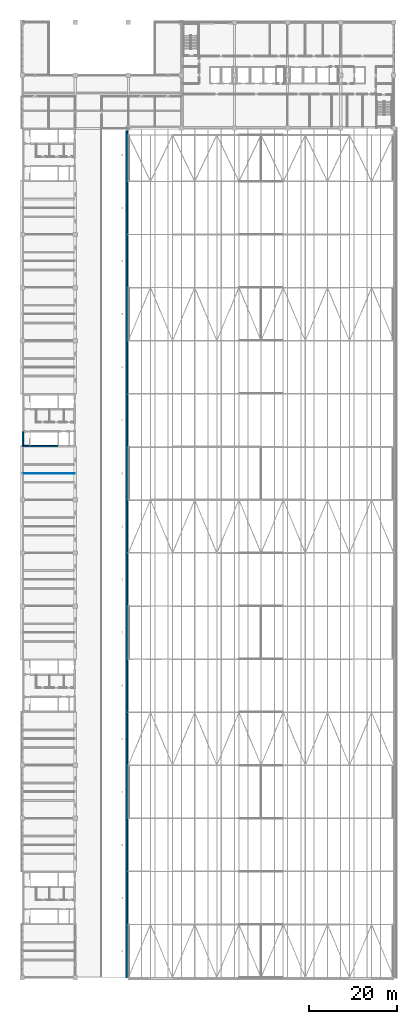
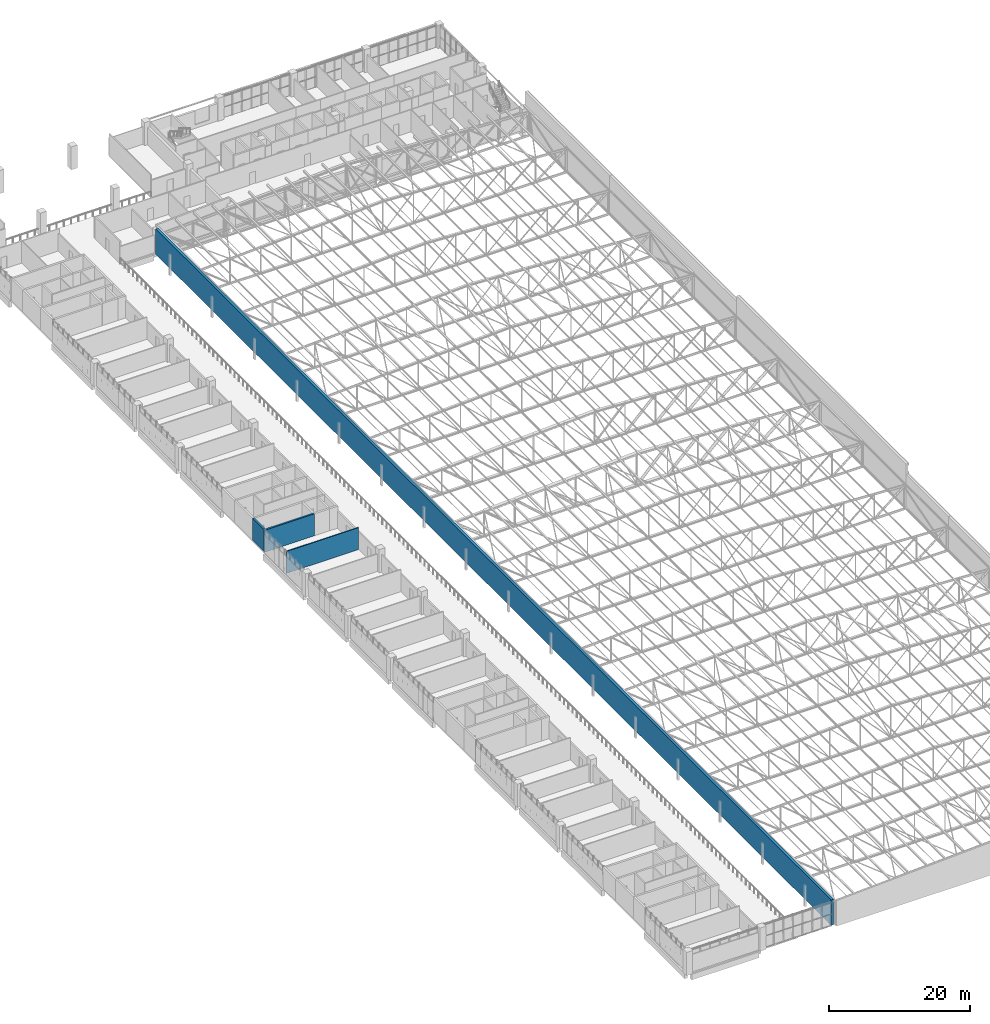
# One storey, part 145 of 156: 4 walls.
"""IFC4 building model written with IfcOpenShell, lengths in metres."""

import ifcopenshell
import ifcopenshell.guid

model = None  # the IFC model being written
_history = None  # IfcOwnerHistory: only IFC2X3 demands one
_inside = {}  # id of a spatial element -> (the spatial element, [elements in it])
_under = {}  # id of a project, library or spatial element -> (it, [spatial elements below it])
_declared = {}  # id of a project -> (the project, [libraries it declares])
_typed = {}  # id of a type object -> (the type object, [elements of that type])
_made_of = {}  # id of a material, layer set ... -> (it, [elements and type objects made of it])


def new_model(schema):
    """Start an empty IFC model of exactly this schema.

    Asked for "IFC4X3", IfcOpenShell would pick the latest addendum, in which some entities
    have other attributes; the version numbers below select the first issue.
    IFC2X3 requires an IfcOwnerHistory on every rooted entity: one is made here for all.
    """
    global model, _history
    if schema == "IFC4X3":
        model = ifcopenshell.file(schema_version=(4, 3, 0, 0))
    else:
        model = ifcopenshell.file(schema=schema)
    _inside.clear()
    _under.clear()
    _declared.clear()
    _typed.clear()
    _made_of.clear()
    _history = None
    if model.schema == "IFC2X3":
        org = make("IfcOrganization", Name="unknown")
        user = make(
            "IfcPersonAndOrganization",
            ThePerson=make("IfcPerson", FamilyName="unknown"),
            TheOrganization=org,
        )
        app = make(
            "IfcApplication",
            ApplicationDeveloper=org,
            Version="unknown",
            ApplicationFullName="unknown",
            ApplicationIdentifier="unknown",
        )
        _history = make(
            "IfcOwnerHistory",
            OwningUser=user,
            OwningApplication=app,
            ChangeAction="ADDED",
            CreationDate=0,
        )
    return model


def make(cls, **values):
    """One entity of the class cls with the attributes given. An attribute that is None is left unset."""
    return model.create_entity(
        cls, **{name: value for name, value in values.items() if value is not None}
    )


def rooted(cls, **values):
    """An entity with a GlobalId (a new one), such as an element, a storey or a relation."""
    return make(cls, GlobalId=ifcopenshell.guid.new(), OwnerHistory=_history, **values)


def si_unit(unit_type, name, prefix=None):
    """IfcSIUnit, for example si_unit("LENGTHUNIT", "METRE", prefix="MILLI")."""
    return make("IfcSIUnit", UnitType=unit_type, Prefix=prefix, Name=name)


def assignment(units):
    """IfcUnitAssignment: the units of a project."""
    return None if units is None else make("IfcUnitAssignment", Units=units)


def point(xyz):
    """IfcCartesianPoint."""
    return None if xyz is None else make("IfcCartesianPoint", Coordinates=xyz)


def direction(xyz):
    """IfcDirection."""
    return None if xyz is None else make("IfcDirection", DirectionRatios=xyz)


def frame(location, z_axis=None, x_axis=None):
    """IfcAxis2Placement3D, a coordinate frame: its origin and axes. An axis left out is left unset."""
    return make(
        "IfcAxis2Placement3D",
        Location=point(location),
        Axis=direction(z_axis),
        RefDirection=direction(x_axis),
    )


def frame_2d(location, x_axis=None):
    """IfcAxis2Placement2D, a coordinate frame in the plane: its origin and x axis."""
    return make(
        "IfcAxis2Placement2D", Location=point(location), RefDirection=direction(x_axis)
    )


def origin():
    """The frame at (0, 0, 0) with its axes left unset."""
    return frame((0.0, 0.0, 0.0))


def place(relative_to, where):
    """IfcLocalPlacement: puts the frame where relative to a parent placement (None: the world)."""
    return make(
        "IfcLocalPlacement", PlacementRelTo=relative_to, RelativePlacement=where
    )


def context(
    kind, dimensions, precision=None, world=None, true_north=None, identifier=None
):
    """IfcGeometricRepresentationContext, for example the 3D "Model" context."""
    return make(
        "IfcGeometricRepresentationContext",
        ContextIdentifier=identifier,
        ContextType=kind,
        CoordinateSpaceDimension=dimensions,
        Precision=precision,
        WorldCoordinateSystem=world,
        TrueNorth=true_north,
    )


def subcontext(parent, identifier, kind, view, scale=None):
    """IfcGeometricRepresentationSubContext, for example "Body" below "Model"."""
    return make(
        "IfcGeometricRepresentationSubContext",
        ContextIdentifier=identifier,
        ContextType=kind,
        ParentContext=parent,
        TargetScale=scale,
        TargetView=view,
    )


def project(units=None, contexts=None):
    """IfcProject with its units and contexts."""
    return rooted(
        "IfcProject",
        Name="project",
        RepresentationContexts=contexts,
        UnitsInContext=assignment(units),
    )


def spatial(cls, under=None, at=None, **own):
    """A site, building, storey or space (cls), placed at a placement, below another one or the project."""
    s = rooted(cls, ObjectPlacement=at, **own)
    if under is not None:
        _under.setdefault(under.id(), (under, []))[1].append(s)
    return s


def profile(cls, at=None, kind="AREA", **sizes):
    """A parametric profile (cls). Its sizes go by their IFC names, for example OverallWidth=200.0."""
    return make(cls, ProfileType=kind, Position=at, **sizes)


def rectangle(**sizes):
    """IfcRectangleProfileDef."""
    return profile("IfcRectangleProfileDef", **sizes)


def extrude(swept, where, along, depth):
    """IfcExtrudedAreaSolid: the profile swept, set in the frame where, extruded along a direction by depth."""
    return make(
        "IfcExtrudedAreaSolid",
        SweptArea=swept,
        Position=where,
        ExtrudedDirection=direction(along),
        Depth=depth,
    )


def shape(context_of_items, identifier, shape_type, items):
    """IfcShapeRepresentation: the items that make up one representation, for example the "Body"."""
    return make(
        "IfcShapeRepresentation",
        ContextOfItems=context_of_items,
        RepresentationIdentifier=identifier,
        RepresentationType=shape_type,
        Items=items,
    )


def material(Name=None, Category=None):
    """IfcMaterial."""
    return make("IfcMaterial", Name=Name, Category=Category)


def layer(
    of_material, thickness, ventilated=None, Name=None, Category=None, Priority=None
):
    """IfcMaterialLayer: one layer of a wall or slab, of a material (None: an air gap)."""
    return make(
        "IfcMaterialLayer",
        Material=of_material,
        LayerThickness=thickness,
        IsVentilated=ventilated,
        Name=Name,
        Category=Category,
        Priority=Priority,
    )


def layer_set(layers, Name=None):
    """IfcMaterialLayerSet."""
    return make("IfcMaterialLayerSet", MaterialLayers=layers, LayerSetName=Name)


def made_of(thing, what):
    """Note that an element or type object is made of a material, layer set ...; save() writes the relation."""
    if what is not None:
        _made_of.setdefault(what.id(), (what, []))[1].append(thing)
    return thing


def type_object(cls, material=None, **own):
    """A type object (cls), such as IfcWallType, which elements share."""
    return made_of(rooted(cls, **own), material)


def element(
    cls,
    number,
    at=None,
    inside=None,
    cuts=None,
    type_object=None,
    material=None,
    context=None,
    identifier="Body",
    shape_type=None,
    held_by="IfcProductDefinitionShape",
    body=None,
    shapes=None,
    **own,
):
    """One element of the class cls, such as IfcWall. Its Tag is "e" and its number.

    at: its placement. inside: the storey or other place that contains it. cuts: it is an
    opening in that element (IfcRelVoidsElement). A single representation is given by context,
    identifier, shape_type and body (its items); several are given by shapes. held_by: the class
    of the entity that holds the representations. save() writes the other relations.
    """
    e = rooted(cls, Tag="e%d" % number, ObjectPlacement=at, **own)
    if body is not None:
        shapes = [shape(context, identifier, shape_type, body)]
    if shapes is not None:
        e.Representation = make(held_by, Representations=shapes)
    if inside is not None:
        _inside.setdefault(inside.id(), (inside, []))[1].append(e)
    if cuts is not None:
        rooted(
            "IfcRelVoidsElement", RelatingBuildingElement=cuts, RelatedOpeningElement=e
        )
    if type_object is not None:
        _typed.setdefault(type_object.id(), (type_object, []))[1].append(e)
    return made_of(e, material)


def aggregate(whole, parts):
    """IfcRelAggregates: a whole, such as a stair, and the parts it consists of."""
    return rooted("IfcRelAggregates", RelatingObject=whole, RelatedObjects=parts)


def save(model, path):
    """Write the relations noted so far, then the file.

    IfcRelAggregates (storeys below a building ...), IfcRelContainedInSpatialStructure (elements
    in a storey), IfcRelDefinesByType, IfcRelAssociatesMaterial and IfcRelDeclares: one each for
    every whole, place, type object, material and project.
    """
    for whole, parts in _under.values():
        aggregate(whole, parts)
    for where, things in _inside.values():
        rooted(
            "IfcRelContainedInSpatialStructure",
            RelatedElements=things,
            RelatingStructure=where,
        )
    for kind, things in _typed.values():
        rooted("IfcRelDefinesByType", RelatedObjects=things, RelatingType=kind)
    for what, things in _made_of.values():
        rooted("IfcRelAssociatesMaterial", RelatedObjects=things, RelatingMaterial=what)
    for by, libraries in _declared.values():
        rooted("IfcRelDeclares", RelatingContext=by, RelatedDefinitions=libraries)
    model.write(path)


model = new_model("IFC4")

# Units and contexts
model_context = context("Model", 3, precision=1e-05, world=origin(), true_north=direction((0.0, 1.0)))
body_context = subcontext(model_context, "Body", "Model", "MODEL_VIEW")
ifc_project = project(units=[si_unit("LENGTHUNIT", "METRE"), si_unit("AREAUNIT", "SQUARE_METRE"), si_unit("VOLUMEUNIT", "CUBIC_METRE"), si_unit("PLANEANGLEUNIT", "RADIAN"), si_unit("MASSUNIT", "GRAM", prefix="KILO")], contexts=[model_context])

# Site, building, storey
site_placement = place(None, origin())
site = spatial("IfcSite", under=ifc_project, at=site_placement, CompositionType="ELEMENT")
building_placement = place(site_placement, origin())
building = spatial("IfcBuilding", under=site, at=building_placement, Name="Lilac Gate Convention Centre", CompositionType="ELEMENT")
storey_placement = place(building_placement, frame((0.0, 0.0, 17.0)))
storey = spatial("IfcBuildingStorey", under=building, at=storey_placement, Name="L03", CompositionType="ELEMENT", Elevation=17.0)

# Walls
ifc_material_1 = material(Name="Concrete C30", Category="concrete")
ifc_layer_1 = layer(ifc_material_1, 0.39990234375)
ifc_layer_set_1 = layer_set([ifc_layer_1], Name="Concrete C30")
wall_type_1 = type_object("IfcWallType", Name="Hall fire wall 400", PredefinedType="SOLIDWALL", material=ifc_layer_set_1)
wall_1_placement = place(storey_placement, frame((29.64990234375, 30.0, 0.0), z_axis=(0.0, 0.0, 1.0), x_axis=(0.0, 1.0, 0.0)))
element("IfcWall", 1, at=wall_1_placement, inside=storey, type_object=wall_type_1, Name="Fire wall galleria FW L03 1", PredefinedType="SOLIDWALL", context=body_context, shape_type="SweptSolid", body=[
    extrude(rectangle(XDim=191.5, YDim=0.39990234375, at=frame_2d((95.75, 0.0))), origin(), (0.0, 0.0, 1.0), 4.40771484375),
])
ifc_material_2 = material(Name="Fire-rated gypsum board on steel stud", Category="steel")
ifc_layer_2 = layer(ifc_material_2, 0.14990234375)
ifc_layer_set_2 = layer_set([ifc_layer_2], Name="Fire-rated gypsum board on steel stud")
wall_type_2 = type_object("IfcWallType", Name="Partition 150 fire-rated gypsum board EI 60", PredefinedType="PARTITIONING", material=ifc_layer_set_2)
wall_2_placement = place(storey_placement, frame((6.074951171875, 144.0, 0.0), z_axis=(0.0, 0.0, 1.0), x_axis=(1.0, 0.0, 0.0)))
element("IfcWall", 2, at=wall_2_placement, inside=storey, type_object=wall_type_2, Name="Partition 150 fire-rated gypsum board EI 60", PredefinedType="PARTITIONING", context=body_context, shape_type="SweptSolid", body=[
    extrude(rectangle(XDim=11.824951171875, YDim=0.14990234375, at=frame_2d((5.91259765625, 0.0))), origin(), (0.0, 0.0, 1.0), 3.800048828125),
])
ifc_material_3 = material(Name="Concrete C40", Category="concrete")
ifc_layer_3 = layer(ifc_material_3, 0.300048828125)
ifc_layer_set_3 = layer_set([ifc_layer_3], Name="Concrete C40")
wall_type_3 = type_object("IfcWallType", Name="Shear wall 300 C40", PredefinedType="SHEAR", material=ifc_layer_set_3)
wall_3_placement = place(storey_placement, frame((6.0, 150.14990234375, 0.0), z_axis=(0.0, 0.0, 1.0), x_axis=(1.0, 0.0, 0.0)))
element("IfcWall", 3, at=wall_3_placement, inside=storey, type_object=wall_type_3, Name="SW1 shear wall W3 L03 1", PredefinedType="SHEAR", context=body_context, shape_type="SweptSolid", body=[
    extrude(rectangle(XDim=8.14990234375, YDim=0.300048828125, at=frame_2d((4.074951171875, 0.0))), origin(), (0.0, 0.0, 1.0), 3.800048828125),
])
wall_4_placement = place(storey_placement, frame((6.14990234375, 150.300048828125, 0.0), z_axis=(0.0, 0.0, 1.0), x_axis=(0.0, 1.0, 0.0)))
element("IfcWall", 4, at=wall_4_placement, inside=storey, type_object=wall_type_3, Name="SW1 shear wall W3 L03 11", PredefinedType="SHEAR", context=body_context, shape_type="SweptSolid", body=[
    extrude(rectangle(XDim=3.14990234375, YDim=0.300048828125, at=frame_2d((1.574951171875, 0.0))), origin(), (0.0, 0.0, 1.0), 3.800048828125),
])

save(model, "model.ifc")
